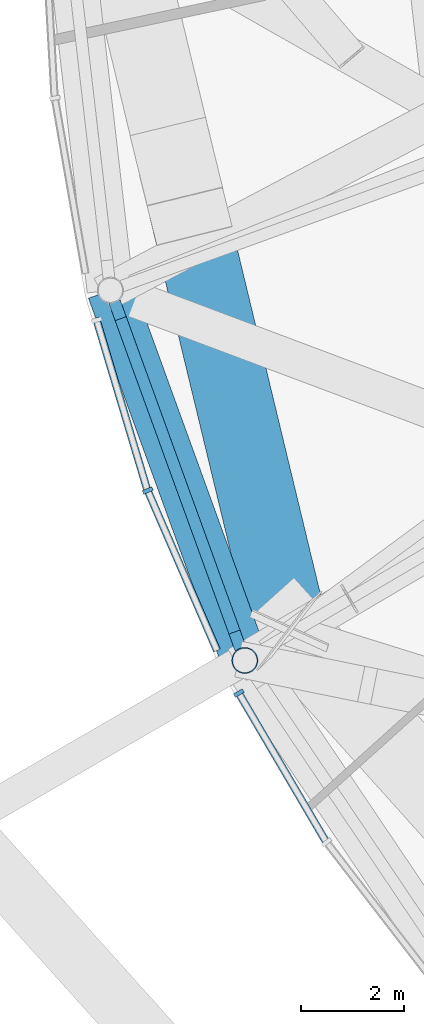
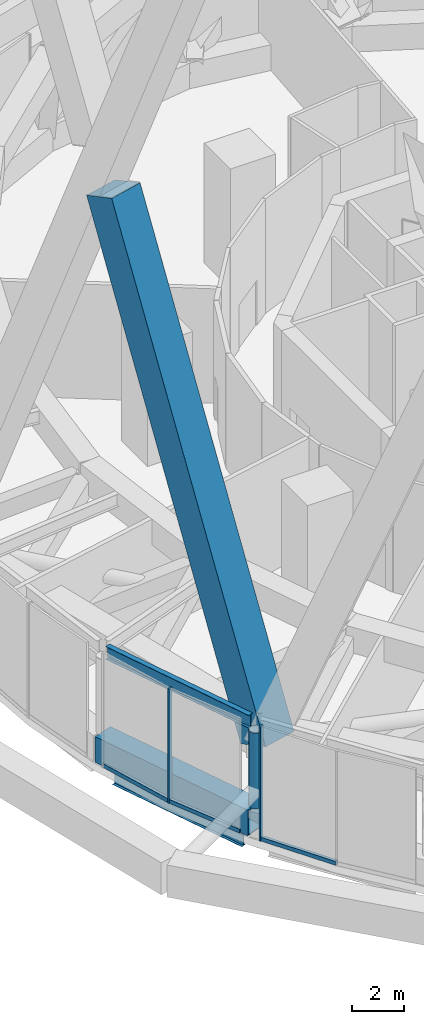
# One storey, part 8 of 49: 7 members, 3 beams, 3 elements without a shape of their own.
"""IFC4 building model written with IfcOpenShell, lengths in metres."""

from ifc_helpers import new_model, si_unit, direction, frame, origin, origin_2d, place, context, subcontext, project, spatial, rectangle, hollow_rectangle, hollow_circle, i_section, extrude, material, layer, layer_set, material_profile, profile_set, type_object, element, aggregate, save


model = new_model("IFC4")

# Units and contexts
model_context = context("Model", 3, precision=1e-05, world=origin(), true_north=direction((0.0, 1.0)))
body_context = subcontext(model_context, "Body", "Model", "MODEL_VIEW")
ifc_project = project(units=[si_unit("LENGTHUNIT", "METRE"), si_unit("AREAUNIT", "SQUARE_METRE"), si_unit("VOLUMEUNIT", "CUBIC_METRE"), si_unit("PLANEANGLEUNIT", "RADIAN"), si_unit("MASSUNIT", "GRAM", prefix="KILO")], contexts=[model_context])

# Site, building, storey
site_placement = place(None, origin())
site = spatial("IfcSite", under=ifc_project, at=site_placement, CompositionType="ELEMENT")
building_placement = place(site_placement, origin())
building = spatial("IfcBuilding", under=site, at=building_placement, Name="Nagisa Residences", CompositionType="ELEMENT")
storey_placement = place(building_placement, frame((0.0, 0.0, 160.300048828125)))
storey = spatial("IfcBuildingStorey", under=building, at=storey_placement, Name="L40", CompositionType="ELEMENT", Elevation=160.300048828125)

# Beam
ifc_material_1 = material(Name="Steel ASTM A572 Gr 50", Category="steel")
ifc_material_profile_1 = material_profile(ifc_material_1, hollow_rectangle(XDim=0.89990234375, YDim=1.199951171875, WallThickness=0.044921875, at=origin_2d()), Name="BX 900x1200x45")
ifc_profile_set_1 = profile_set([ifc_material_profile_1], Name="Steel ASTM A572 Gr 50")
beam_type_1 = type_object("IfcBeamType", Name="Belt chord 3 BX 900x1200x45", PredefinedType="BEAM", material=ifc_profile_set_1)
beam_1_placement = place(storey_placement, frame((-26.947998046875, -10.80322265625, 0.599853515625), z_axis=(0.341367428201, -0.939929933008, 0.0), x_axis=(0.939929933008, 0.341367428201, 0.0)))
element("IfcBeam", 1, at=beam_1_placement, inside=storey, type_object=beam_type_1, Name="beam:L40:bt3b14", PredefinedType="BEAM", context=body_context, shape_type="SweptSolid", body=[
    extrude(hollow_rectangle(XDim=0.89990234375, YDim=1.199951171875, WallThickness=0.044921875, at=origin_2d()), origin(), (0.0, 0.0, 1.0), 7.61962890625),
])

# Curtain wall, member
ifc_material_2 = material(Name="Aluminium curtain wall system", Category="aluminium")
ifc_layer = layer(ifc_material_2, 0.159912109375)
ifc_layer_set = layer_set([ifc_layer], Name="CW2 CURTAIN WALL")
curtain_wall_type = type_object("IfcCurtainWallType", Name="CW2 CURTAIN WALL", PredefinedType="NOTDEFINED", material=ifc_layer_set)
curtain_wall_1_placement = place(storey_placement, origin())
curtain_wall_1 = element("IfcCurtainWall", 2, at=curtain_wall_1_placement, inside=storey, type_object=curtain_wall_type, Name="cw:CW2:L40:27", PredefinedType="NOTDEFINED")
ifc_material_3 = material(Name="Aluminium", Category="aluminium")
ifc_material_profile_2 = material_profile(ifc_material_3, rectangle(XDim=0.199951171875, YDim=0.080078125, at=origin_2d()), Name="CW2 MULLION 200x80")
ifc_profile_set_2 = profile_set([ifc_material_profile_2], Name="Aluminium")
member_type_1 = type_object("IfcMemberType", Name="CW2 MULLION 200x80", PredefinedType="MULLION", material=ifc_profile_set_2)
member_1_placement = place(storey_placement, frame((-26.225830078125, -14.677734375, 0.0), z_axis=(0.0, 0.0, 1.0), x_axis=(0.917543276295, 0.397635934147, 0.0)))
member_1 = element("IfcMember", 3, at=member_1_placement, type_object=member_type_1, Name="CW2 mullion", PredefinedType="MULLION", context=body_context, shape_type="SweptSolid", body=[
    extrude(rectangle(XDim=0.199951171875, YDim=0.080078125, at=origin_2d()), origin(), (0.0, 0.0, 1.0), 5.33984375),
])

curtain_wall_2_placement = place(storey_placement, origin())
curtain_wall_2 = element("IfcCurtainWall", 4, at=curtain_wall_2_placement, inside=storey, type_object=curtain_wall_type, Name="cw:CW2:L40:28", PredefinedType="NOTDEFINED")
member_2_placement = place(storey_placement, frame((-24.462890625, -18.59716796875, 0.0), z_axis=(0.0, 0.0, 1.0), x_axis=(0.862328898214, 0.506348567002, 0.0)))
member_2 = element("IfcMember", 5, at=member_2_placement, type_object=member_type_1, Name="CW2 mullion", PredefinedType="MULLION", context=body_context, shape_type="SweptSolid", body=[
    extrude(rectangle(XDim=0.199951171875, YDim=0.080078125, at=origin_2d()), origin(), (0.0, 0.0, 1.0), 5.33984375),
])

curtain_wall_3_placement = place(storey_placement, origin())
curtain_wall_3 = element("IfcCurtainWall", 6, at=curtain_wall_3_placement, inside=storey, type_object=curtain_wall_type, Name="cw:CW2:L40:26", PredefinedType="NOTDEFINED")
ifc_material_4 = material(Name="Aluminium", Category="aluminium")
ifc_material_profile_3 = material_profile(ifc_material_4, rectangle(XDim=0.139892578125, YDim=0.179931640625, at=origin_2d()), Name="CW2 TRANSOM 140x180")
ifc_profile_set_3 = profile_set([ifc_material_profile_3], Name="Aluminium")
member_type_2 = type_object("IfcMemberType", Name="CW2 TRANSOM 140x180", PredefinedType="USERDEFINED", material=ifc_profile_set_3)
member_3_placement = place(storey_placement, frame((-27.2255859375, -11.341064453125, 0.08984375), z_axis=(0.285862077176, -0.95827077219, 0.0), x_axis=(0.95827077219, 0.285862077176, 0.0)))
member_3 = element("IfcMember", 7, at=member_3_placement, type_object=member_type_2, Name="CW2 transom", ObjectType="TRANSOM", PredefinedType="USERDEFINED", context=body_context, shape_type="SweptSolid", body=[
    extrude(rectangle(XDim=0.139892578125, YDim=0.179931640625, at=origin_2d()), origin(), (0.0, 0.0, 1.0), 3.452880859375),
])
aggregate(curtain_wall_3, [member_3])

# Member
member_4_placement = place(storey_placement, frame((-26.24169921875, -14.64111328125, 0.08984375), z_axis=(0.397639579107, -0.91754169667, 0.0), x_axis=(0.91754169667, 0.397639579107, 0.0)))
member_4 = element("IfcMember", 8, at=member_4_placement, type_object=member_type_2, Name="CW2 transom", ObjectType="TRANSOM", PredefinedType="USERDEFINED", context=body_context, shape_type="SweptSolid", body=[
    extrude(rectangle(XDim=0.139892578125, YDim=0.179931640625, at=origin_2d()), origin(), (0.0, 0.0, 1.0), 3.41064453125),
])

aggregate(curtain_wall_1, [member_1, member_4])

member_5_placement = place(storey_placement, frame((-24.483154296875, -18.562744140625, 0.08984375), z_axis=(0.506336911457, -0.862335742096, 0.0), x_axis=(0.862335742096, 0.506336911457, 0.0)))
member_5 = element("IfcMember", 9, at=member_5_placement, type_object=member_type_2, Name="CW2 transom", ObjectType="TRANSOM", PredefinedType="USERDEFINED", context=body_context, shape_type="SweptSolid", body=[
    extrude(rectangle(XDim=0.139892578125, YDim=0.179931640625, at=origin_2d()), origin(), (0.0, 0.0, 1.0), 3.3583984375),
])

aggregate(curtain_wall_2, [member_2, member_5])

ifc_material_5 = material(Name="Concrete C80", Category="concrete")
ifc_material_profile_4 = material_profile(ifc_material_5, rectangle(XDim=1.5, YDim=1.5, at=origin_2d()), Name="C80 1500x1500")
ifc_profile_set_4 = profile_set([ifc_material_profile_4], Name="Concrete C80")
member_type_3 = type_object("IfcMemberType", Name="Cage diagonal 4 C80 1500x1500", PredefinedType="BRACE", material=ifc_profile_set_4)
member_6_placement = place(storey_placement, frame((-23.48486328125, -17.387451171875, 3.699951171875), z_axis=(-0.087370904377, 0.362545040356, 0.92786174551), x_axis=(-0.972167751465, -0.234285857472, 0.0)))
element("IfcMember", 10, at=member_6_placement, inside=storey, type_object=member_type_3, Name="mem:L40:cg4d014a", PredefinedType="BRACE", context=body_context, shape_type="SweptSolid", body=[
    extrude(rectangle(XDim=1.5, YDim=1.5, at=origin_2d()), origin(), (0.0, 0.0, 1.0), 22.916015625),
])

# Beam
ifc_material_6 = material(Name="Steel ASTM A572 Gr 50", Category="steel")
ifc_material_profile_5 = material_profile(ifc_material_6, i_section(OverallWidth=0.22802734375, OverallDepth=0.60302734375, WebThickness=0.010498046875, FlangeThickness=0.014892578125, at=origin_2d()), Name="W610x101")
ifc_profile_set_5 = profile_set([ifc_material_profile_5], Name="Steel ASTM A572 Gr 50")
beam_type_2 = type_object("IfcBeamType", Name="Garden edge beam W610x101", PredefinedType="BEAM", material=ifc_profile_set_5)
beam_2_placement = place(storey_placement, frame((-26.867919921875, -11.023193359375, 5.038330078125), z_axis=(0.341340110395, -0.939939853946, 0.0), x_axis=(0.939939853946, 0.341340110395, 0.0)))
element("IfcBeam", 11, at=beam_2_placement, inside=storey, type_object=beam_type_2, Name="beam:L40:bt3ge14", PredefinedType="BEAM", context=body_context, shape_type="SweptSolid", body=[
    extrude(i_section(OverallWidth=0.22802734375, OverallDepth=0.60302734375, WebThickness=0.010498046875, FlangeThickness=0.014892578125, at=origin_2d()), origin(), (0.0, 0.0, 1.0), 7.151611328125),
])

# Member
ifc_material_7 = material(Name="Steel ASTM A572 Gr 65", Category="steel")
ifc_material_profile_6 = material_profile(ifc_material_7, hollow_circle(Radius=0.25390625, WallThickness=0.02001953125, at=origin_2d()), Name="CHS 508x20")
ifc_profile_set_6 = profile_set([ifc_material_profile_6], Name="Steel ASTM A572 Gr 65")
member_type_4 = type_object("IfcMemberType", Name="Garden edge post CHS 508x20", PredefinedType="POST", material=ifc_profile_set_6)
member_7_placement = place(storey_placement, frame((-24.346923828125, -17.965087890625, 1.199951171875), z_axis=(0.0, 0.0, 1.0), x_axis=(1.0, 0.0, 0.0)))
element("IfcMember", 12, at=member_7_placement, inside=storey, type_object=member_type_4, Name="mem:L40:gp315", PredefinedType="POST", context=body_context, shape_type="SweptSolid", body=[
    extrude(hollow_circle(Radius=0.25390625, WallThickness=0.02001953125, at=origin_2d()), origin(), (0.0, 0.0, 1.0), 3.537109375),
])

# Beam
ifc_material_8 = material(Name="Steel ASTM A572 Gr 50", Category="steel")
ifc_material_profile_7 = material_profile(ifc_material_8, i_section(OverallWidth=0.22802734375, OverallDepth=0.60302734375, WebThickness=0.010498046875, FlangeThickness=0.014892578125, at=origin_2d()), Name="W610x101")
ifc_profile_set_7 = profile_set([ifc_material_profile_7], Name="Steel ASTM A572 Gr 50")
beam_type_3 = type_object("IfcBeamType", Name="Perimeter ring beam W610x101", PredefinedType="BEAM", material=ifc_profile_set_7)
beam_3_placement = place(storey_placement, frame((-26.74853515625, -11.352294921875, -0.651611328125), z_axis=(0.341366238276, -0.939930365168, 0.0), x_axis=(0.939930365168, 0.341366238276, 0.0)))
element("IfcBeam", 13, at=beam_3_placement, inside=storey, type_object=beam_type_3, Name="beam:L40:pb14", PredefinedType="BEAM", context=body_context, shape_type="SweptSolid", body=[
    extrude(i_section(OverallWidth=0.22802734375, OverallDepth=0.60302734375, WebThickness=0.010498046875, FlangeThickness=0.014892578125, at=origin_2d()), origin(), (0.0, 0.0, 1.0), 6.450927734375),
])

save(model, "model.ifc")
